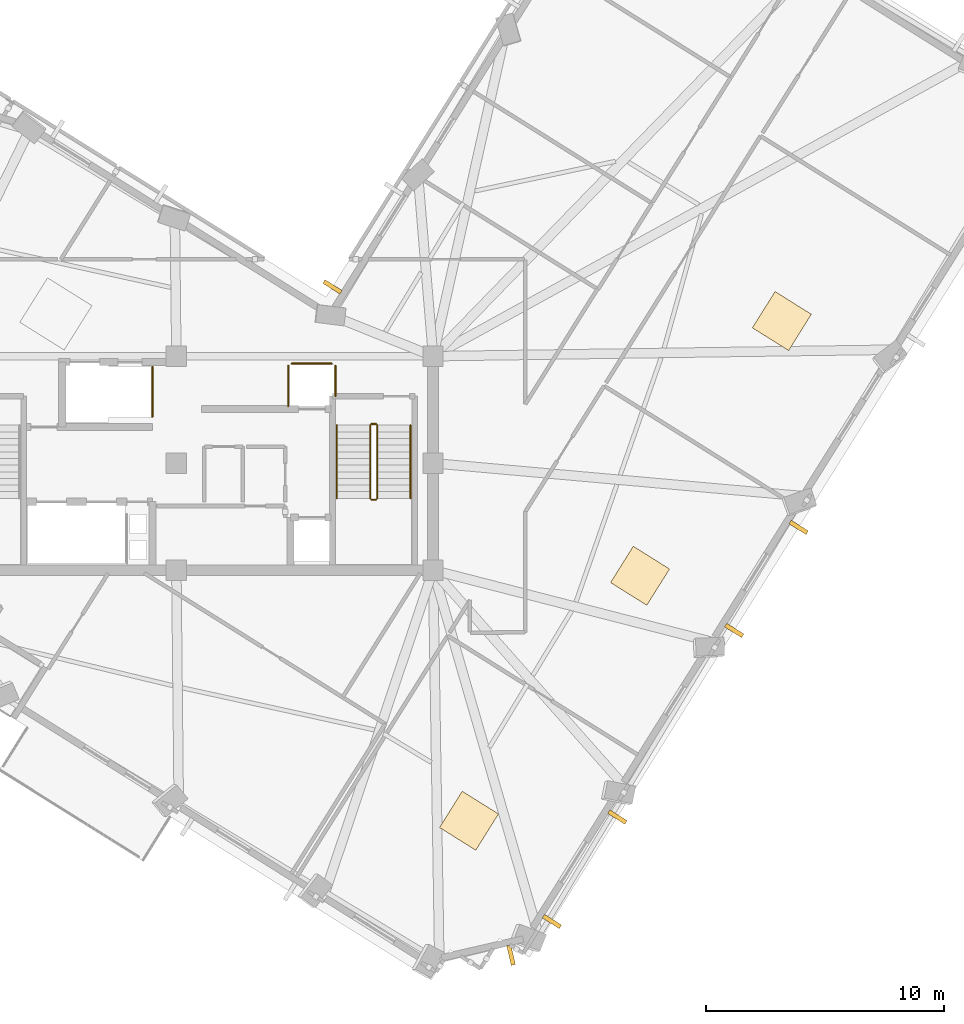
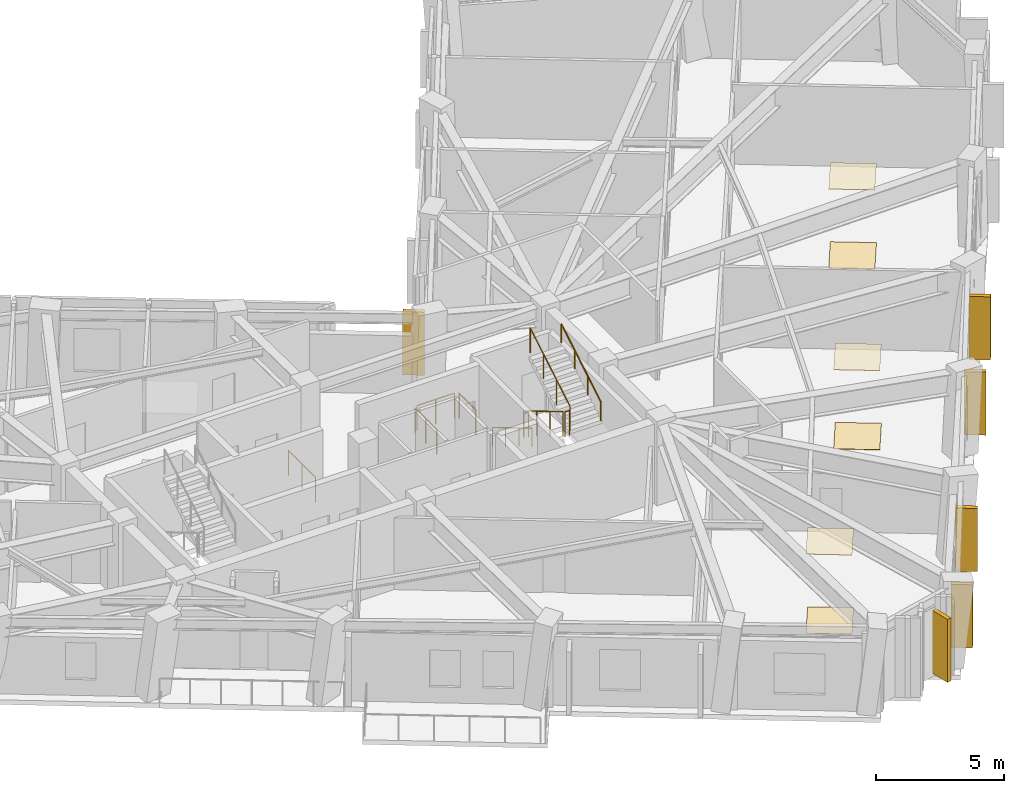
# One storey, part 10 of 12: 10 railings, 6 coverings, 6 shading devices.
"""IFC4 building model written with IfcOpenShell, lengths in metres."""

from ifc_helpers import new_model, si_unit, direction, frame, origin, origin_2d, place, context, subcontext, project, spatial, rectangle, circle, extrude, material, layer, layer_set, type_object, element, save


model = new_model("IFC4")

# Units and contexts
model_context = context("Model", 3, precision=1e-05, world=origin(), true_north=direction((0.0, 1.0)))
body_context = subcontext(model_context, "Body", "Model", "MODEL_VIEW")
ifc_project = project(units=[si_unit("LENGTHUNIT", "METRE"), si_unit("AREAUNIT", "SQUARE_METRE"), si_unit("VOLUMEUNIT", "CUBIC_METRE"), si_unit("PLANEANGLEUNIT", "RADIAN"), si_unit("MASSUNIT", "GRAM", prefix="KILO")], contexts=[model_context])

# Site, building, storey
site_placement = place(None, origin())
site = spatial("IfcSite", under=ifc_project, at=site_placement, CompositionType="ELEMENT")
building_placement = place(site_placement, origin())
building = spatial("IfcBuilding", under=site, at=building_placement, Name="Gaonmaruhae Medical Tower", CompositionType="ELEMENT")
storey_placement = place(building_placement, frame((0.0, 0.0, 272.60009765625)))
storey = spatial("IfcBuildingStorey", under=building, at=storey_placement, Name="L65", CompositionType="ELEMENT", Elevation=272.60009765625)

# Coverings
ifc_material_1 = material(Name="Acoustic mineral ceiling tile", Category="finish")
ifc_layer_1 = layer(ifc_material_1, 0.02490234375)
ifc_layer_set_1 = layer_set([ifc_layer_1], Name="Acoustic mineral ceiling tile")
covering_type_1 = type_object("IfcCoveringType", Name="CLG-01 Antimicrobial Acoustic Mineral Ceiling", PredefinedType="CEILING", material=ifc_layer_set_1)
for number, where, z_axis, x_axis, name in (
    (1, (37.110595703125, -2.740478515625, 3.7548828125), (0.0, 0.0, 1.0), (0.530659123936, 0.847585331506, 0.0), "L65 Clinical Room Acoustic Ceiling 2"),
    (2, (44.305908203125, 7.56396484375, 3.7548828125), (0.0, 0.0, 1.0), (0.530659123936, 0.847585331506, 0.0), "L65 Clinical Room Acoustic Ceiling 3"),
    (3, (50.270751953125, 18.27978515625, 3.7548828125), (0.0, 0.0, 1.0), (0.530659123936, 0.847585331506, 0.0), "L65 Clinical Room Acoustic Ceiling 4"),
):
    element("IfcCovering", number, at=place(storey_placement, frame(where, z_axis=z_axis, x_axis=x_axis)), inside=storey, type_object=covering_type_1, Name=name, PredefinedType="CEILING", context=body_context, shape_type="SweptSolid", body=[
        extrude(rectangle(XDim=1.800048828125, YDim=1.800048828125, at=origin_2d()), origin(), (0.0, 0.0, 1.0), 0.02490234375),
    ])
ifc_material_2 = material(Name="Seamless clinical vinyl flooring", Category="finish")
ifc_layer_2 = layer(ifc_material_2, 0.014892578125)
ifc_layer_set_2 = layer_set([ifc_layer_2], Name="Seamless clinical vinyl flooring")
covering_type_2 = type_object("IfcCoveringType", Name="FLR-01 Seamless Clinical Antistatic Vinyl Flooring", PredefinedType="FLOORING", material=ifc_layer_set_2)
for number, where, z_axis, x_axis, name in (
    (4, (37.110595703125, -2.740478515625, 0.0), (0.0, 0.0, 1.0), (0.530659123936, 0.847585331506, 0.0), "L65 Clinical Room Vinyl Flooring 2"),
    (5, (44.305908203125, 7.56396484375, 0.0), (0.0, 0.0, 1.0), (0.530659123936, 0.847585331506, 0.0), "L65 Clinical Room Vinyl Flooring 3"),
    (6, (50.270751953125, 18.27978515625, 0.0), (0.0, 0.0, 1.0), (0.530659123936, 0.847585331506, 0.0), "L65 Clinical Room Vinyl Flooring 4"),
):
    element("IfcCovering", number, at=place(storey_placement, frame(where, z_axis=z_axis, x_axis=x_axis)), inside=storey, type_object=covering_type_2, Name=name, PredefinedType="FLOORING", context=body_context, shape_type="SweptSolid", body=[
        extrude(rectangle(XDim=1.800048828125, YDim=1.800048828125, at=origin_2d()), origin(), (0.0, 0.0, 1.0), 0.014892578125),
    ])

# Railings
ifc_material_3 = material(Name="Stainless steel 304 handrail", Category="steel")
railing_type_1 = type_object("IfcRailingType", Name="HR-092 Continuous Stainless Steel Stair Handrail", PredefinedType="HANDRAIL", material=ifc_material_3)
railing_1_placement = place(storey_placement, frame((31.550048828125, 13.89990234375, 0.16650390625)))
element("IfcRailing", 7, at=railing_1_placement, inside=storey, type_object=railing_type_1, Name="L65 ST-02 stair handrail 1", PredefinedType="HANDRAIL", context=body_context, shape_type="SweptSolid", body=[
    extrude(circle(Radius=0.02392578125, at=origin_2d()), frame((0.0, 0.0, 0.8759765625), z_axis=(0.0, -0.859260807169, 0.511537745687), x_axis=(1.0, 0.0, 0.0)), (0.0, 0.0, 1.0), 3.584228515625),
    extrude(circle(Radius=0.02099609375, at=origin_2d()), origin(), (0.0, 0.0, 1.0), 0.851806640625),
    extrude(circle(Radius=0.02099609375, at=origin_2d()), frame((0.0, -1.026611328125, 0.611083984375)), (0.0, 0.0, 1.0), 0.851806640625),
    extrude(circle(Radius=0.02099609375, at=origin_2d()), frame((0.0, -2.05322265625, 1.222412109375)), (0.0, 0.0, 1.0), 0.851806640625),
    extrude(circle(Radius=0.02099609375, at=origin_2d()), frame((0.0, -3.079833984375, 1.83349609375)), (0.0, 0.0, 1.0), 0.851806640625),
])
railing_2_placement = place(storey_placement, frame((34.64990234375, 10.820068359375, 2.16650390625)))
element("IfcRailing", 8, at=railing_2_placement, inside=storey, type_object=railing_type_1, Name="L65 ST-02 stair handrail 2", PredefinedType="HANDRAIL", context=body_context, shape_type="SweptSolid", body=[
    extrude(circle(Radius=0.02392578125, at=origin_2d()), frame((0.0, 0.0, 0.8759765625), z_axis=(0.0, 0.859260807169, 0.511537745687), x_axis=(-1.0, 0.0, 0.0)), (0.0, 0.0, 1.0), 3.584228515625),
    extrude(circle(Radius=0.02099609375, at=origin_2d()), origin(), (0.0, 0.0, 1.0), 0.851806640625),
    extrude(circle(Radius=0.02099609375, at=origin_2d()), frame((0.0, 1.026611328125, 0.611083984375)), (0.0, 0.0, 1.0), 0.851806640625),
    extrude(circle(Radius=0.02099609375, at=origin_2d()), frame((0.0, 2.05322265625, 1.222412109375)), (0.0, 0.0, 1.0), 0.851806640625),
    extrude(circle(Radius=0.02099609375, at=origin_2d()), frame((0.0, 3.079833984375, 1.83349609375)), (0.0, 0.0, 1.0), 0.851806640625),
])

# Shading devices
ifc_material_4 = material(Name="Pigmented coral precast concrete C45/55", Category="concrete")
shading_device_type = type_object("IfcShadingDeviceType", Name="SD-FIN1 Tower Vertical Coral Precast Shading Fin", PredefinedType="USERDEFINED", material=ifc_material_4)
for number, where, z_axis, x_axis, name in (
    (9, (43.349609375, -2.58349609375, 0.13232421875), (0.0, 0.0, 1.0), (-0.530659123936, -0.847585331506, 0.0), "L65 Vertical Coral Precast Shading Fin S01"),
    (10, (40.598388671875, -6.977783203125, 0.13232421875), (0.0, 0.0, 1.0), (-0.530659123936, -0.847585331506, 0.0), "L65 Vertical Coral Precast Shading Fin S01B"),
    (11, (50.977294921875, 9.599609375, 0.13232421875), (0.0, 0.0, 1.0), (-0.53067391701, -0.847576069628, 0.0), "L65 Vertical Coral Precast Shading Fin S03"),
    (12, (48.263916015625, 5.265380859375, 0.13232421875), (0.0, 0.0, 1.0), (-0.53067391701, -0.847576069628, 0.0), "L65 Vertical Coral Precast Shading Fin S03B"),
    (13, (31.36669921875, 19.7158203125, 0.13232421875), (0.0, 0.0, 1.0), (0.530659123936, 0.847585331506, 0.0), "L65 Vertical Coral Precast Shading Fin EN02"),
    (14, (38.878662109375, -8.392822265625, 0.13232421875), (0.0, 0.0, 1.0), (-0.974566000575, -0.224100670509, 0.0), "L65 Vertical Coral Precast Shading Fin W06"),
):
    element("IfcShadingDevice", number, at=place(storey_placement, frame(where, z_axis=z_axis, x_axis=x_axis)), inside=storey, type_object=shading_device_type, Name=name, ObjectType="FIN", PredefinedType="USERDEFINED", context=body_context, shape_type="SweptSolid", body=[
        extrude(rectangle(XDim=0.179931640625, YDim=0.85009765625, at=origin_2d()), origin(), (0.0, 0.0, 1.0), 3.0),
    ])

# Railings
ifc_material_5 = material(Name="Stainless steel 304 balustrade", Category="steel")
railing_type_2 = type_object("IfcRailingType", Name="SG-112 Stair Well & Ramp Void Safety Balustrade", PredefinedType="BALUSTRADE", material=ifc_material_5)
railing_3_placement = place(storey_placement, frame((32.949951171875, 13.89990234375, 0.16650390625)))
element("IfcRailing", 15, at=railing_3_placement, inside=storey, type_object=railing_type_2, Name="L65 ST-02 stair guard 1", PredefinedType="BALUSTRADE", context=body_context, shape_type="SweptSolid", body=[
    extrude(circle(Radius=0.02392578125, at=origin_2d()), frame((0.0, 0.0, 1.17578125), z_axis=(0.0, -0.859260807169, 0.511537745687), x_axis=(1.0, 0.0, 0.0)), (0.0, 0.0, 1.0), 3.584228515625),
    extrude(circle(Radius=0.02099609375, at=origin_2d()), origin(), (0.0, 0.0, 1.0), 1.15185546875),
    extrude(circle(Radius=0.02099609375, at=origin_2d()), frame((0.0, -1.026611328125, 0.611083984375)), (0.0, 0.0, 1.0), 1.15185546875),
    extrude(circle(Radius=0.02099609375, at=origin_2d()), frame((0.0, -2.05322265625, 1.222412109375)), (0.0, 0.0, 1.0), 1.15185546875),
    extrude(circle(Radius=0.02099609375, at=origin_2d()), frame((0.0, -3.079833984375, 1.83349609375)), (0.0, 0.0, 1.0), 1.15185546875),
])
railing_4_placement = place(storey_placement, frame((33.0, 10.77001953125, 2.0)))
element("IfcRailing", 16, at=railing_4_placement, inside=storey, type_object=railing_type_2, Name="L65 ST-02 stair guard 2", PredefinedType="BALUSTRADE", context=body_context, shape_type="SweptSolid", body=[
    extrude(circle(Radius=0.02392578125, at=origin_2d()), frame((0.0, 0.0, 1.17578125), z_axis=(1.0, 0.0, 0.0), x_axis=(0.0, 1.0, 0.0)), (0.0, 0.0, 1.0), 0.199951171875),
    extrude(circle(Radius=0.02099609375, at=origin_2d()), origin(), (0.0, 0.0, 1.0), 1.15185546875),
    extrude(circle(Radius=0.02099609375, at=origin_2d()), frame((0.199951171875, 0.0, 0.0)), (0.0, 0.0, 1.0), 1.15185546875),
])
railing_5_placement = place(storey_placement, frame((33.25, 10.820068359375, 2.16650390625)))
element("IfcRailing", 17, at=railing_5_placement, inside=storey, type_object=railing_type_2, Name="L65 ST-02 stair guard 3", PredefinedType="BALUSTRADE", context=body_context, shape_type="SweptSolid", body=[
    extrude(circle(Radius=0.02392578125, at=origin_2d()), frame((0.0, 0.0, 1.17578125), z_axis=(0.0, 0.859260807169, 0.511537745687), x_axis=(-1.0, 0.0, 0.0)), (0.0, 0.0, 1.0), 3.584228515625),
    extrude(circle(Radius=0.02099609375, at=origin_2d()), origin(), (0.0, 0.0, 1.0), 1.15185546875),
    extrude(circle(Radius=0.02099609375, at=origin_2d()), frame((0.0, 1.026611328125, 0.611083984375)), (0.0, 0.0, 1.0), 1.15185546875),
    extrude(circle(Radius=0.02099609375, at=origin_2d()), frame((0.0, 2.05322265625, 1.222412109375)), (0.0, 0.0, 1.0), 1.15185546875),
    extrude(circle(Radius=0.02099609375, at=origin_2d()), frame((0.0, 3.079833984375, 1.83349609375)), (0.0, 0.0, 1.0), 1.15185546875),
])
railing_6_placement = place(storey_placement, frame((33.0, 13.949951171875, 0.0)))
element("IfcRailing", 18, at=railing_6_placement, inside=storey, type_object=railing_type_2, Name="L65 ST-02 stair guard 4", PredefinedType="BALUSTRADE", context=body_context, shape_type="SweptSolid", body=[
    extrude(circle(Radius=0.02392578125, at=origin_2d()), frame((0.0, 0.0, 1.17578125), z_axis=(1.0, 0.0, 0.0), x_axis=(0.0, 1.0, 0.0)), (0.0, 0.0, 1.0), 0.199951171875),
    extrude(circle(Radius=0.02099609375, at=origin_2d()), origin(), (0.0, 0.0, 1.0), 1.15185546875),
    extrude(circle(Radius=0.02099609375, at=origin_2d()), frame((0.199951171875, 0.0, 0.0)), (0.0, 0.0, 1.0), 1.15185546875),
])
railing_7_placement = place(storey_placement, frame((23.794921875, 16.35498046875, 0.0)))
element("IfcRailing", 19, at=railing_7_placement, inside=storey, type_object=railing_type_2, Name="L65 Shaft Edge Safety Guard 08", PredefinedType="BALUSTRADE", context=body_context, shape_type="SweptSolid", body=[
    extrude(circle(Radius=0.02392578125, at=origin_2d()), frame((0.0, 0.0, 1.17578125), z_axis=(0.0, -1.0, 0.0), x_axis=(1.0, 0.0, 0.0)), (0.0, 0.0, 1.0), 2.10986328125),
    extrude(circle(Radius=0.02099609375, at=origin_2d()), origin(), (0.0, 0.0, 1.0), 1.15185546875),
    extrude(circle(Radius=0.02099609375, at=origin_2d()), frame((0.0, -1.054931640625, 0.0)), (0.0, 0.0, 1.0), 1.15185546875),
    extrude(circle(Radius=0.02099609375, at=origin_2d()), frame((0.0, -2.10986328125, 0.0)), (0.0, 0.0, 1.0), 1.15185546875),
])
railing_8_placement = place(storey_placement, frame((31.4951171875, 16.405029296875, 0.0)))
element("IfcRailing", 20, at=railing_8_placement, inside=storey, type_object=railing_type_2, Name="L65 Shaft Edge Safety Guard 09", PredefinedType="BALUSTRADE", context=body_context, shape_type="SweptSolid", body=[
    extrude(circle(Radius=0.02392578125, at=origin_2d()), frame((0.0, 0.0, 1.17578125), z_axis=(0.0, -1.0, 0.0), x_axis=(1.0, 0.0, 0.0)), (0.0, 0.0, 1.0), 1.284912109375),
    extrude(circle(Radius=0.02099609375, at=origin_2d()), origin(), (0.0, 0.0, 1.0), 1.15185546875),
    extrude(circle(Radius=0.02099609375, at=origin_2d()), frame((0.0, -1.284912109375, 0.0)), (0.0, 0.0, 1.0), 1.15185546875),
])
railing_9_placement = place(storey_placement, frame((29.5048828125, 14.695068359375, 0.0)))
element("IfcRailing", 21, at=railing_9_placement, inside=storey, type_object=railing_type_2, Name="L65 Shaft Edge Safety Guard 10", PredefinedType="BALUSTRADE", context=body_context, shape_type="SweptSolid", body=[
    extrude(circle(Radius=0.02392578125, at=origin_2d()), frame((0.0, 0.0, 1.17578125), z_axis=(0.0, 1.0, 0.0), x_axis=(-1.0, 0.0, 0.0)), (0.0, 0.0, 1.0), 1.7099609375),
    extrude(circle(Radius=0.02099609375, at=origin_2d()), origin(), (0.0, 0.0, 1.0), 1.15185546875),
    extrude(circle(Radius=0.02099609375, at=origin_2d()), frame((0.0, 0.85498046875, 0.0)), (0.0, 0.0, 1.0), 1.15185546875),
    extrude(circle(Radius=0.02099609375, at=origin_2d()), frame((0.0, 1.7099609375, 0.0)), (0.0, 0.0, 1.0), 1.15185546875),
])
railing_10_placement = place(storey_placement, frame((29.6630859375, 16.4951171875, 0.0)))
element("IfcRailing", 22, at=railing_10_placement, inside=storey, type_object=railing_type_2, Name="L65 Shaft Edge Safety Guard 11", PredefinedType="BALUSTRADE", context=body_context, shape_type="SweptSolid", body=[
    extrude(circle(Radius=0.02392578125, at=origin_2d()), frame((0.0, 0.0, 1.17578125), z_axis=(1.0, 0.0, 0.0), x_axis=(0.0, 1.0, 0.0)), (0.0, 0.0, 1.0), 1.673828125),
    extrude(circle(Radius=0.02099609375, at=origin_2d()), origin(), (0.0, 0.0, 1.0), 1.15185546875),
    extrude(circle(Radius=0.02099609375, at=origin_2d()), frame((0.8369140625, 0.0, 0.0)), (0.0, 0.0, 1.0), 1.15185546875),
    extrude(circle(Radius=0.02099609375, at=origin_2d()), frame((1.673828125, 0.0, 0.0)), (0.0, 0.0, 1.0), 1.15185546875),
])

save(model, "model.ifc")
